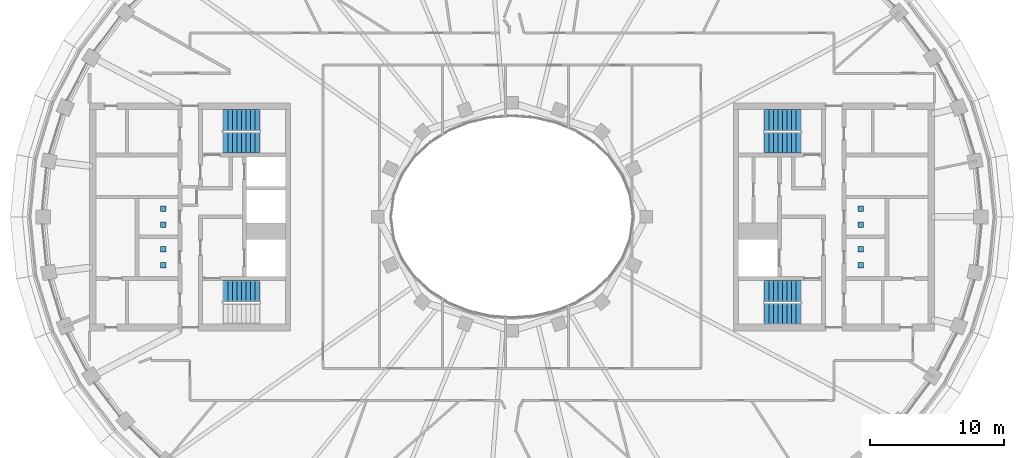
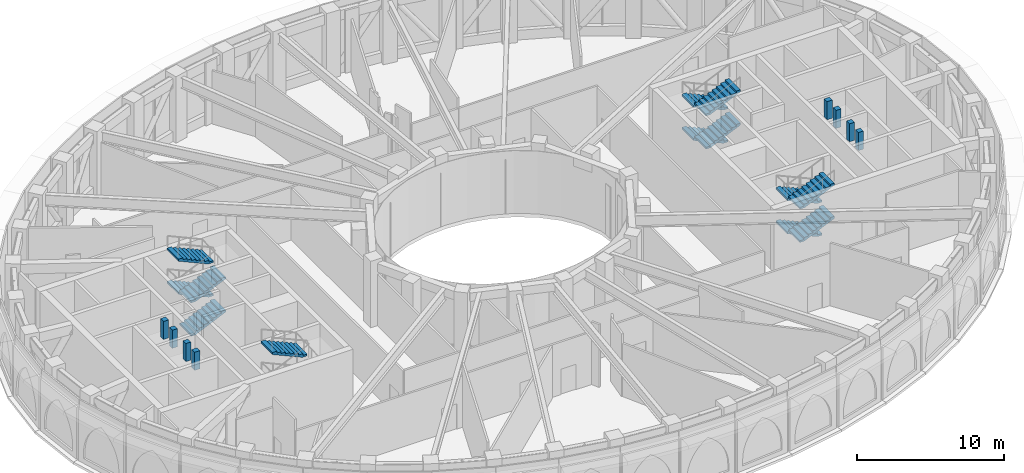
# One storey, part 9 of 23: 13 stair flights, 8 discrete accessories, 4 elements without a shape of their own.
"""IFC4 building model written with IfcOpenShell, lengths in metres."""

from ifc_helpers import new_model, si_unit, direction, frame, origin, origin_2d, place, context, subcontext, project, spatial, polyline, rectangle, outline, extrude, material, type_object, element, aggregate, save


model = new_model("IFC4")

# Units and contexts
model_context = context("Model", 3, precision=1e-05, world=origin(), true_north=direction((0.0, 1.0)))
body_context = subcontext(model_context, "Body", "Model", "MODEL_VIEW")
ifc_project = project(units=[si_unit("LENGTHUNIT", "METRE"), si_unit("AREAUNIT", "SQUARE_METRE"), si_unit("VOLUMEUNIT", "CUBIC_METRE"), si_unit("PLANEANGLEUNIT", "RADIAN"), si_unit("MASSUNIT", "GRAM", prefix="KILO")], contexts=[model_context])

# Site, building, storey
site_placement = place(None, origin())
site = spatial("IfcSite", under=ifc_project, at=site_placement, CompositionType="ELEMENT")
building_placement = place(site_placement, origin())
building = spatial("IfcBuilding", under=site, at=building_placement, Name="Noorbagh Ring Tower", CompositionType="ELEMENT")
storey_placement = place(building_placement, frame((0.0, 0.0, 285.5)))
storey = spatial("IfcBuildingStorey", under=building, at=storey_placement, Name="L61", CompositionType="ELEMENT", Elevation=285.5)

# Stair, stair flights
ifc_material_1 = material(Name="Concrete C40/50", Category="concrete")
stair_type = type_object("IfcStairType", Name="CORE-STAIR", PredefinedType="HALF_TURN_STAIR", material=ifc_material_1)
stair_1_placement = place(storey_placement, origin())
stair_1 = element("IfcStair", 1, at=stair_1_placement, inside=storey, type_object=stair_type, Name="L61 Exit stair ST1", PredefinedType="HALF_TURN_STAIR")
ifc_material_2 = material(Name="Concrete C40/50", Category="concrete")
stair_flight_type = type_object("IfcStairFlightType", Name="CORE-STAIR-FLIGHT", PredefinedType="STRAIGHT", material=ifc_material_2)
stair_flight_1_placement = place(storey_placement, frame((-21.530029296875, 5.52490234375, 0.0), z_axis=(0.0, 0.0, 1.0), x_axis=(1.0, 0.0, 0.0)))
stair_flight_1 = element("IfcStairFlight", 2, at=stair_flight_1_placement, type_object=stair_flight_type, Name="ST1 flight 1", NumberOfRisers=9, NumberOfTreads=8, PredefinedType="STRAIGHT", RiserHeight=0.152777778, TreadLength=0.34, context=body_context, shape_type="SweptSolid", body=[
    extrude(outline(polyline([(0.0, 0.0), (0.0, 0.15283203125), (0.340087890625, 0.15283203125), (0.340087890625, 0.3056640625), (0.679931640625, 0.3056640625), (0.679931640625, 0.458251953125), (1.02001953125, 0.458251953125), (1.02001953125, 0.611083984375), (1.360107421875, 0.611083984375), (1.360107421875, 0.763916015625), (1.699951171875, 0.763916015625), (1.699951171875, 0.916748046875), (2.0400390625, 0.916748046875), (2.0400390625, 1.0693359375), (2.3798828125, 1.0693359375), (2.3798828125, 1.22216796875), (2.719970703125, 1.22216796875), (2.719970703125, 1.375), (2.719970703125, 1.057861328125), (0.36572265625, 0.0), (0.0, 0.0)])), frame((0.0, 0.77490234375, 0.0), z_axis=(0.0, -1.0, 0.0), x_axis=(1.0, 0.0, 0.0)), (0.0, 0.0, 1.0), 1.550048828125),
])
stair_flight_2_placement = place(storey_placement, frame((-18.81005859375, 7.22509765625, 1.375), z_axis=(0.0, 0.0, 1.0), x_axis=(-1.0, 0.0, 0.0)))
stair_flight_2 = element("IfcStairFlight", 3, at=stair_flight_2_placement, type_object=stair_flight_type, Name="ST1 flight 2", NumberOfRisers=9, NumberOfTreads=8, PredefinedType="STRAIGHT", RiserHeight=0.152777778, TreadLength=0.34, context=body_context, shape_type="SweptSolid", body=[
    extrude(outline(polyline([(0.0, 0.0), (0.0, 0.15283203125), (0.340087890625, 0.15283203125), (0.340087890625, 0.3056640625), (0.679931640625, 0.3056640625), (0.679931640625, 0.458251953125), (1.02001953125, 0.458251953125), (1.02001953125, 0.611083984375), (1.360107421875, 0.611083984375), (1.360107421875, 0.763916015625), (1.699951171875, 0.763916015625), (1.699951171875, 0.916748046875), (2.0400390625, 0.916748046875), (2.0400390625, 1.0693359375), (2.3798828125, 1.0693359375), (2.3798828125, 1.22216796875), (2.719970703125, 1.22216796875), (2.719970703125, 1.375), (2.719970703125, 1.057861328125), (0.36572265625, 0.0), (0.0, 0.0)])), frame((0.0, 0.77490234375, 0.0), z_axis=(0.0, -1.0, 0.0), x_axis=(1.0, 0.0, 0.0)), (0.0, 0.0, 1.0), 1.550048828125),
])
stair_flight_3_placement = place(storey_placement, frame((-21.530029296875, 5.52490234375, 2.75), z_axis=(0.0, 0.0, 1.0), x_axis=(1.0, 0.0, 0.0)))
stair_flight_3 = element("IfcStairFlight", 4, at=stair_flight_3_placement, type_object=stair_flight_type, Name="ST1 flight 3", NumberOfRisers=9, NumberOfTreads=8, PredefinedType="STRAIGHT", RiserHeight=0.152777778, TreadLength=0.34, context=body_context, shape_type="SweptSolid", body=[
    extrude(outline(polyline([(0.0, 0.0), (0.0, 0.15283203125), (0.340087890625, 0.15283203125), (0.340087890625, 0.3056640625), (0.679931640625, 0.3056640625), (0.679931640625, 0.458251953125), (1.02001953125, 0.458251953125), (1.02001953125, 0.611083984375), (1.360107421875, 0.611083984375), (1.360107421875, 0.763916015625), (1.699951171875, 0.763916015625), (1.699951171875, 0.916748046875), (2.0400390625, 0.916748046875), (2.0400390625, 1.0693359375), (2.3798828125, 1.0693359375), (2.3798828125, 1.22216796875), (2.719970703125, 1.22216796875), (2.719970703125, 1.375), (2.719970703125, 1.057861328125), (0.36572265625, 0.0), (0.0, 0.0)])), frame((0.0, 0.77490234375, 0.0), z_axis=(0.0, -1.0, 0.0), x_axis=(1.0, 0.0, 0.0)), (0.0, 0.0, 1.0), 1.550048828125),
])
stair_flight_4_placement = place(storey_placement, frame((-18.81005859375, 7.22509765625, 4.125), z_axis=(0.0, 0.0, 1.0), x_axis=(-1.0, 0.0, 0.0)))
stair_flight_4 = element("IfcStairFlight", 5, at=stair_flight_4_placement, type_object=stair_flight_type, Name="ST1 flight 4", NumberOfRisers=9, NumberOfTreads=8, PredefinedType="STRAIGHT", RiserHeight=0.152777778, TreadLength=0.34, context=body_context, shape_type="SweptSolid", body=[
    extrude(outline(polyline([(0.0, 0.0), (0.0, 0.15283203125), (0.340087890625, 0.15283203125), (0.340087890625, 0.3056640625), (0.679931640625, 0.3056640625), (0.679931640625, 0.458251953125), (1.02001953125, 0.458251953125), (1.02001953125, 0.611083984375), (1.360107421875, 0.611083984375), (1.360107421875, 0.763916015625), (1.699951171875, 0.763916015625), (1.699951171875, 0.916748046875), (2.0400390625, 0.916748046875), (2.0400390625, 1.0693359375), (2.3798828125, 1.0693359375), (2.3798828125, 1.22216796875), (2.719970703125, 1.22216796875), (2.719970703125, 1.375), (2.719970703125, 1.057861328125), (0.36572265625, 0.0), (0.0, 0.0)])), frame((0.0, 0.77490234375, 0.0), z_axis=(0.0, -1.0, 0.0), x_axis=(1.0, 0.0, 0.0)), (0.0, 0.0, 1.0), 1.550048828125),
])
aggregate(stair_1, [stair_flight_1, stair_flight_2, stair_flight_3, stair_flight_4])

# Stair, stair flight
stair_2_placement = place(storey_placement, origin())
stair_2 = element("IfcStair", 6, at=stair_2_placement, inside=storey, type_object=stair_type, Name="L61 Exit stair ST2", PredefinedType="HALF_TURN_STAIR")
stair_flight_5_placement = place(storey_placement, frame((-18.81005859375, -5.52490234375, 4.125), z_axis=(0.0, 0.0, 1.0), x_axis=(-1.0, 0.0, 0.0)))
stair_flight_5 = element("IfcStairFlight", 7, at=stair_flight_5_placement, type_object=stair_flight_type, Name="ST2 flight 4", NumberOfRisers=9, NumberOfTreads=8, PredefinedType="STRAIGHT", RiserHeight=0.152777778, TreadLength=0.34, context=body_context, shape_type="SweptSolid", body=[
    extrude(outline(polyline([(0.0, 0.0), (0.0, 0.15283203125), (0.340087890625, 0.15283203125), (0.340087890625, 0.3056640625), (0.679931640625, 0.3056640625), (0.679931640625, 0.458251953125), (1.02001953125, 0.458251953125), (1.02001953125, 0.611083984375), (1.360107421875, 0.611083984375), (1.360107421875, 0.763916015625), (1.699951171875, 0.763916015625), (1.699951171875, 0.916748046875), (2.0400390625, 0.916748046875), (2.0400390625, 1.0693359375), (2.3798828125, 1.0693359375), (2.3798828125, 1.22216796875), (2.719970703125, 1.22216796875), (2.719970703125, 1.375), (2.719970703125, 1.057861328125), (0.36572265625, 0.0), (0.0, 0.0)])), frame((0.0, 0.77490234375, 0.0), z_axis=(0.0, -1.0, 0.0), x_axis=(1.0, 0.0, 0.0)), (0.0, 0.0, 1.0), 1.550048828125),
])
aggregate(stair_2, [stair_flight_5])

# Stair, stair flights
stair_3_placement = place(storey_placement, origin())
stair_3 = element("IfcStair", 8, at=stair_3_placement, inside=storey, type_object=stair_type, Name="L61 Exit stair ST3", PredefinedType="HALF_TURN_STAIR")
stair_flight_6_placement = place(storey_placement, frame((21.530029296875, 7.22509765625, 0.0), z_axis=(0.0, 0.0, 1.0), x_axis=(-1.0, 0.0, 0.0)))
stair_flight_6 = element("IfcStairFlight", 9, at=stair_flight_6_placement, type_object=stair_flight_type, Name="ST3 flight 1", NumberOfRisers=9, NumberOfTreads=8, PredefinedType="STRAIGHT", RiserHeight=0.152777778, TreadLength=0.34, context=body_context, shape_type="SweptSolid", body=[
    extrude(outline(polyline([(0.0, 0.0), (0.0, 0.15283203125), (0.340087890625, 0.15283203125), (0.340087890625, 0.3056640625), (0.679931640625, 0.3056640625), (0.679931640625, 0.458251953125), (1.02001953125, 0.458251953125), (1.02001953125, 0.611083984375), (1.360107421875, 0.611083984375), (1.360107421875, 0.763916015625), (1.699951171875, 0.763916015625), (1.699951171875, 0.916748046875), (2.0400390625, 0.916748046875), (2.0400390625, 1.0693359375), (2.3798828125, 1.0693359375), (2.3798828125, 1.22216796875), (2.719970703125, 1.22216796875), (2.719970703125, 1.375), (2.719970703125, 1.057861328125), (0.36572265625, 0.0), (0.0, 0.0)])), frame((0.0, 0.77490234375, 0.0), z_axis=(0.0, -1.0, 0.0), x_axis=(1.0, 0.0, 0.0)), (0.0, 0.0, 1.0), 1.550048828125),
])
stair_flight_7_placement = place(storey_placement, frame((18.81005859375, 5.52490234375, 1.375), z_axis=(0.0, 0.0, 1.0), x_axis=(1.0, 0.0, 0.0)))
stair_flight_7 = element("IfcStairFlight", 10, at=stair_flight_7_placement, type_object=stair_flight_type, Name="ST3 flight 2", NumberOfRisers=9, NumberOfTreads=8, PredefinedType="STRAIGHT", RiserHeight=0.152777778, TreadLength=0.34, context=body_context, shape_type="SweptSolid", body=[
    extrude(outline(polyline([(0.0, 0.0), (0.0, 0.15283203125), (0.340087890625, 0.15283203125), (0.340087890625, 0.3056640625), (0.679931640625, 0.3056640625), (0.679931640625, 0.458251953125), (1.02001953125, 0.458251953125), (1.02001953125, 0.611083984375), (1.360107421875, 0.611083984375), (1.360107421875, 0.763916015625), (1.699951171875, 0.763916015625), (1.699951171875, 0.916748046875), (2.0400390625, 0.916748046875), (2.0400390625, 1.0693359375), (2.3798828125, 1.0693359375), (2.3798828125, 1.22216796875), (2.719970703125, 1.22216796875), (2.719970703125, 1.375), (2.719970703125, 1.057861328125), (0.36572265625, 0.0), (0.0, 0.0)])), frame((0.0, 0.77490234375, 0.0), z_axis=(0.0, -1.0, 0.0), x_axis=(1.0, 0.0, 0.0)), (0.0, 0.0, 1.0), 1.550048828125),
])
stair_flight_8_placement = place(storey_placement, frame((21.530029296875, 7.22509765625, 2.75), z_axis=(0.0, 0.0, 1.0), x_axis=(-1.0, 0.0, 0.0)))
stair_flight_8 = element("IfcStairFlight", 11, at=stair_flight_8_placement, type_object=stair_flight_type, Name="ST3 flight 3", NumberOfRisers=9, NumberOfTreads=8, PredefinedType="STRAIGHT", RiserHeight=0.152777778, TreadLength=0.34, context=body_context, shape_type="SweptSolid", body=[
    extrude(outline(polyline([(0.0, 0.0), (0.0, 0.15283203125), (0.340087890625, 0.15283203125), (0.340087890625, 0.3056640625), (0.679931640625, 0.3056640625), (0.679931640625, 0.458251953125), (1.02001953125, 0.458251953125), (1.02001953125, 0.611083984375), (1.360107421875, 0.611083984375), (1.360107421875, 0.763916015625), (1.699951171875, 0.763916015625), (1.699951171875, 0.916748046875), (2.0400390625, 0.916748046875), (2.0400390625, 1.0693359375), (2.3798828125, 1.0693359375), (2.3798828125, 1.22216796875), (2.719970703125, 1.22216796875), (2.719970703125, 1.375), (2.719970703125, 1.057861328125), (0.36572265625, 0.0), (0.0, 0.0)])), frame((0.0, 0.77490234375, 0.0), z_axis=(0.0, -1.0, 0.0), x_axis=(1.0, 0.0, 0.0)), (0.0, 0.0, 1.0), 1.550048828125),
])
stair_flight_9_placement = place(storey_placement, frame((18.81005859375, 5.52490234375, 4.125), z_axis=(0.0, 0.0, 1.0), x_axis=(1.0, 0.0, 0.0)))
stair_flight_9 = element("IfcStairFlight", 12, at=stair_flight_9_placement, type_object=stair_flight_type, Name="ST3 flight 4", NumberOfRisers=9, NumberOfTreads=8, PredefinedType="STRAIGHT", RiserHeight=0.152777778, TreadLength=0.34, context=body_context, shape_type="SweptSolid", body=[
    extrude(outline(polyline([(0.0, 0.0), (0.0, 0.15283203125), (0.340087890625, 0.15283203125), (0.340087890625, 0.3056640625), (0.679931640625, 0.3056640625), (0.679931640625, 0.458251953125), (1.02001953125, 0.458251953125), (1.02001953125, 0.611083984375), (1.360107421875, 0.611083984375), (1.360107421875, 0.763916015625), (1.699951171875, 0.763916015625), (1.699951171875, 0.916748046875), (2.0400390625, 0.916748046875), (2.0400390625, 1.0693359375), (2.3798828125, 1.0693359375), (2.3798828125, 1.22216796875), (2.719970703125, 1.22216796875), (2.719970703125, 1.375), (2.719970703125, 1.057861328125), (0.36572265625, 0.0), (0.0, 0.0)])), frame((0.0, 0.77490234375, 0.0), z_axis=(0.0, -1.0, 0.0), x_axis=(1.0, 0.0, 0.0)), (0.0, 0.0, 1.0), 1.550048828125),
])
aggregate(stair_3, [stair_flight_6, stair_flight_7, stair_flight_8, stair_flight_9])

stair_4_placement = place(storey_placement, origin())
stair_4 = element("IfcStair", 13, at=stair_4_placement, inside=storey, type_object=stair_type, Name="L61 Exit stair ST4", PredefinedType="HALF_TURN_STAIR")
stair_flight_10_placement = place(storey_placement, frame((21.530029296875, -5.52490234375, 0.0), z_axis=(0.0, 0.0, 1.0), x_axis=(-1.0, 0.0, 0.0)))
stair_flight_10 = element("IfcStairFlight", 14, at=stair_flight_10_placement, type_object=stair_flight_type, Name="ST4 flight 1", NumberOfRisers=9, NumberOfTreads=8, PredefinedType="STRAIGHT", RiserHeight=0.152777778, TreadLength=0.34, context=body_context, shape_type="SweptSolid", body=[
    extrude(outline(polyline([(0.0, 0.0), (0.0, 0.15283203125), (0.340087890625, 0.15283203125), (0.340087890625, 0.3056640625), (0.679931640625, 0.3056640625), (0.679931640625, 0.458251953125), (1.02001953125, 0.458251953125), (1.02001953125, 0.611083984375), (1.360107421875, 0.611083984375), (1.360107421875, 0.763916015625), (1.699951171875, 0.763916015625), (1.699951171875, 0.916748046875), (2.0400390625, 0.916748046875), (2.0400390625, 1.0693359375), (2.3798828125, 1.0693359375), (2.3798828125, 1.22216796875), (2.719970703125, 1.22216796875), (2.719970703125, 1.375), (2.719970703125, 1.057861328125), (0.36572265625, 0.0), (0.0, 0.0)])), frame((0.0, 0.77490234375, 0.0), z_axis=(0.0, -1.0, 0.0), x_axis=(1.0, 0.0, 0.0)), (0.0, 0.0, 1.0), 1.550048828125),
])
stair_flight_11_placement = place(storey_placement, frame((18.81005859375, -7.22509765625, 1.375), z_axis=(0.0, 0.0, 1.0), x_axis=(1.0, 0.0, 0.0)))
stair_flight_11 = element("IfcStairFlight", 15, at=stair_flight_11_placement, type_object=stair_flight_type, Name="ST4 flight 2", NumberOfRisers=9, NumberOfTreads=8, PredefinedType="STRAIGHT", RiserHeight=0.152777778, TreadLength=0.34, context=body_context, shape_type="SweptSolid", body=[
    extrude(outline(polyline([(0.0, 0.0), (0.0, 0.15283203125), (0.340087890625, 0.15283203125), (0.340087890625, 0.3056640625), (0.679931640625, 0.3056640625), (0.679931640625, 0.458251953125), (1.02001953125, 0.458251953125), (1.02001953125, 0.611083984375), (1.360107421875, 0.611083984375), (1.360107421875, 0.763916015625), (1.699951171875, 0.763916015625), (1.699951171875, 0.916748046875), (2.0400390625, 0.916748046875), (2.0400390625, 1.0693359375), (2.3798828125, 1.0693359375), (2.3798828125, 1.22216796875), (2.719970703125, 1.22216796875), (2.719970703125, 1.375), (2.719970703125, 1.057861328125), (0.36572265625, 0.0), (0.0, 0.0)])), frame((0.0, 0.77490234375, 0.0), z_axis=(0.0, -1.0, 0.0), x_axis=(1.0, 0.0, 0.0)), (0.0, 0.0, 1.0), 1.550048828125),
])
stair_flight_12_placement = place(storey_placement, frame((21.530029296875, -5.52490234375, 2.75), z_axis=(0.0, 0.0, 1.0), x_axis=(-1.0, 0.0, 0.0)))
stair_flight_12 = element("IfcStairFlight", 16, at=stair_flight_12_placement, type_object=stair_flight_type, Name="ST4 flight 3", NumberOfRisers=9, NumberOfTreads=8, PredefinedType="STRAIGHT", RiserHeight=0.152777778, TreadLength=0.34, context=body_context, shape_type="SweptSolid", body=[
    extrude(outline(polyline([(0.0, 0.0), (0.0, 0.15283203125), (0.340087890625, 0.15283203125), (0.340087890625, 0.3056640625), (0.679931640625, 0.3056640625), (0.679931640625, 0.458251953125), (1.02001953125, 0.458251953125), (1.02001953125, 0.611083984375), (1.360107421875, 0.611083984375), (1.360107421875, 0.763916015625), (1.699951171875, 0.763916015625), (1.699951171875, 0.916748046875), (2.0400390625, 0.916748046875), (2.0400390625, 1.0693359375), (2.3798828125, 1.0693359375), (2.3798828125, 1.22216796875), (2.719970703125, 1.22216796875), (2.719970703125, 1.375), (2.719970703125, 1.057861328125), (0.36572265625, 0.0), (0.0, 0.0)])), frame((0.0, 0.77490234375, 0.0), z_axis=(0.0, -1.0, 0.0), x_axis=(1.0, 0.0, 0.0)), (0.0, 0.0, 1.0), 1.550048828125),
])
stair_flight_13_placement = place(storey_placement, frame((18.81005859375, -7.22509765625, 4.125), z_axis=(0.0, 0.0, 1.0), x_axis=(1.0, 0.0, 0.0)))
stair_flight_13 = element("IfcStairFlight", 17, at=stair_flight_13_placement, type_object=stair_flight_type, Name="ST4 flight 4", NumberOfRisers=9, NumberOfTreads=8, PredefinedType="STRAIGHT", RiserHeight=0.152777778, TreadLength=0.34, context=body_context, shape_type="SweptSolid", body=[
    extrude(outline(polyline([(0.0, 0.0), (0.0, 0.15283203125), (0.340087890625, 0.15283203125), (0.340087890625, 0.3056640625), (0.679931640625, 0.3056640625), (0.679931640625, 0.458251953125), (1.02001953125, 0.458251953125), (1.02001953125, 0.611083984375), (1.360107421875, 0.611083984375), (1.360107421875, 0.763916015625), (1.699951171875, 0.763916015625), (1.699951171875, 0.916748046875), (2.0400390625, 0.916748046875), (2.0400390625, 1.0693359375), (2.3798828125, 1.0693359375), (2.3798828125, 1.22216796875), (2.719970703125, 1.22216796875), (2.719970703125, 1.375), (2.719970703125, 1.057861328125), (0.36572265625, 0.0), (0.0, 0.0)])), frame((0.0, 0.77490234375, 0.0), z_axis=(0.0, -1.0, 0.0), x_axis=(1.0, 0.0, 0.0)), (0.0, 0.0, 1.0), 1.550048828125),
])
aggregate(stair_4, [stair_flight_10, stair_flight_11, stair_flight_12, stair_flight_13])

# Discrete accessories
ifc_material_3 = material(Name="Steel S355", Category="steel")
discrete_accessory_type = type_object("IfcDiscreteAccessoryType", Name="CORE-LIFT-BUFFER", PredefinedType="BRACKET", material=ifc_material_3)
for number, where, z_axis, x_axis, name in (
    (18, (-26.0, -3.625, 4.0), (0.0, 0.0, 1.0), (1.0, 0.0, 0.0), "Lift buffer HR5"),
    (19, (-26.0, -2.425048828125, 4.0), (0.0, 0.0, 1.0), (1.0, 0.0, 0.0), "Lift buffer HR5"),
    (20, (-26.0, -0.60009765625, 4.0), (0.0, 0.0, 1.0), (1.0, 0.0, 0.0), "Lift buffer HR6"),
    (21, (-26.0, 0.60009765625, 4.0), (0.0, 0.0, 1.0), (1.0, 0.0, 0.0), "Lift buffer HR6"),
    (22, (26.0, -3.625, 4.0), (0.0, 0.0, 1.0), (1.0, 0.0, 0.0), "Lift buffer HR12"),
    (23, (26.0, -2.425048828125, 4.0), (0.0, 0.0, 1.0), (1.0, 0.0, 0.0), "Lift buffer HR12"),
    (24, (26.0, -0.60009765625, 4.0), (0.0, 0.0, 1.0), (1.0, 0.0, 0.0), "Lift buffer HR13"),
    (25, (26.0, 0.60009765625, 4.0), (0.0, 0.0, 1.0), (1.0, 0.0, 0.0), "Lift buffer HR13"),
):
    element("IfcDiscreteAccessory", number, at=place(storey_placement, frame(where, z_axis=z_axis, x_axis=x_axis)), inside=storey, type_object=discrete_accessory_type, Name=name, PredefinedType="BRACKET", context=body_context, shape_type="SweptSolid", body=[
        extrude(rectangle(XDim=0.39990234375, YDim=0.39990234375, at=origin_2d()), origin(), (0.0, 0.0, 1.0), 1.5),
    ])

save(model, "model.ifc")
